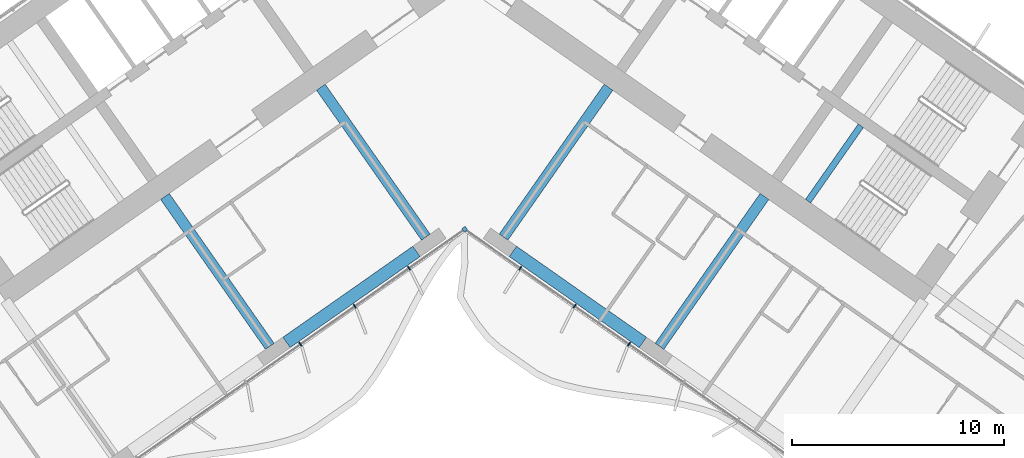
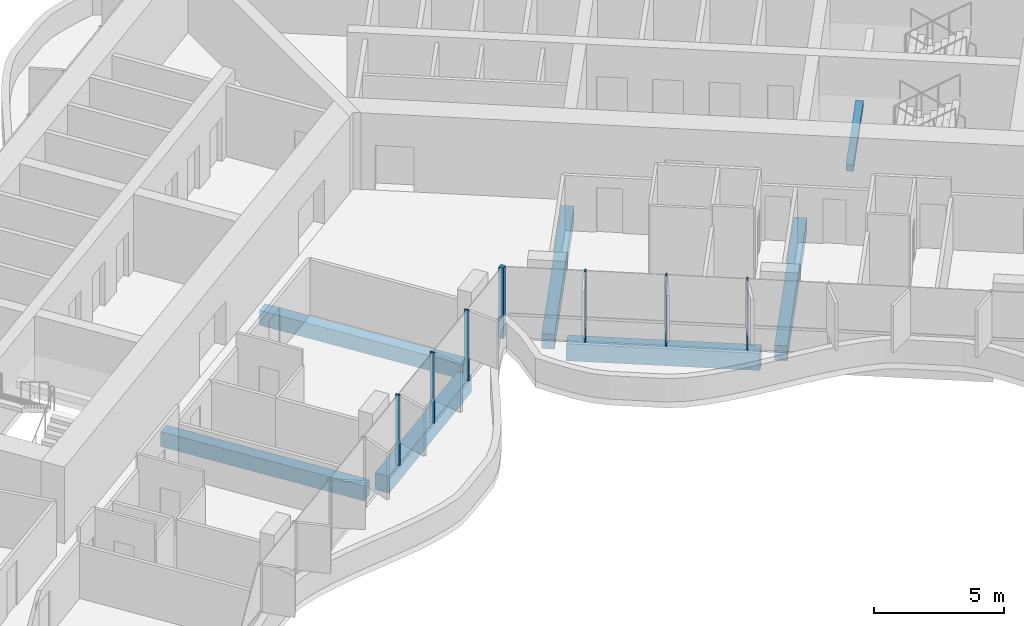
# One storey, part 6 of 24: 7 beams, 7 members, 1 element without a shape of its own.
"""IFC4 building model written with IfcOpenShell, lengths in metres."""

from ifc_helpers import new_model, si_unit, direction, frame, origin, origin_2d, place, context, subcontext, project, spatial, rectangle, extrude, material, material_profile, profile_set, type_object, element, aggregate, save


model = new_model("IFC4")

# Units and contexts
model_context = context("Model", 3, precision=1e-05, world=origin(), true_north=direction((0.0, 1.0)))
body_context = subcontext(model_context, "Body", "Model", "MODEL_VIEW")
ifc_project = project(units=[si_unit("LENGTHUNIT", "METRE"), si_unit("AREAUNIT", "SQUARE_METRE"), si_unit("VOLUMEUNIT", "CUBIC_METRE"), si_unit("PLANEANGLEUNIT", "RADIAN"), si_unit("MASSUNIT", "GRAM", prefix="KILO")], contexts=[model_context])

# Site, building, storey
site_placement = place(None, origin())
site = spatial("IfcSite", under=ifc_project, at=site_placement, CompositionType="ELEMENT")
building_placement = place(site_placement, origin())
building = spatial("IfcBuilding", under=site, at=building_placement, Name="Tel Ilan Convention Tower", CompositionType="ELEMENT")
storey_placement = place(building_placement, frame((0.0, 0.0, 68.89990234375)))
storey = spatial("IfcBuildingStorey", under=building, at=storey_placement, Name="L12", CompositionType="ELEMENT", Elevation=68.89990234375)

# Beams
ifc_material_1 = material(Name="Concrete C40/50", Category="concrete")
ifc_material_profile_1 = material_profile(ifc_material_1, rectangle(XDim=0.5, YDim=0.699951171875, at=origin_2d()), Name="RC 500x700")
ifc_profile_set_1 = profile_set([ifc_material_profile_1], Name="Concrete C40/50")
beam_type_1 = type_object("IfcBeamType", Name="Beam RC 500x700 Concrete C40/50", PredefinedType="BEAM", material=ifc_profile_set_1)
for number, where, z_axis, x_axis, name in (
    (1, (-1.83740234375, -13.06689453125, -0.6298828125), (-0.573574099654, 0.819153680457, 0.0), (-0.819153680457, -0.573574099654, 0.0), "L12 beam W-W-F1-core"),
    (2, (-9.209716796875, -18.229248046875, -0.6298828125), (-0.573574099654, 0.819153680457, 0.0), (-0.819153680457, -0.573574099654, 0.0), "L12 beam W-W-F2-core"),
    (3, (1.83740234375, -13.06689453125, -0.6298828125), (0.573574099654, 0.819153680457, 0.0), (-0.819153680457, 0.573574099654, 0.0), "L12 beam E-E-F1-core"),
    (4, (9.209716796875, -18.229248046875, -0.6298828125), (0.573574099654, 0.819153680457, 0.0), (-0.819153680457, 0.573574099654, 0.0), "L12 beam E-E-F2-core"),
):
    element("IfcBeam", number, at=place(storey_placement, frame(where, z_axis=z_axis, x_axis=x_axis)), inside=storey, type_object=beam_type_1, Name=name, PredefinedType="BEAM", context=body_context, shape_type="SweptSolid", body=[
        extrude(rectangle(XDim=0.5, YDim=0.699951171875, at=origin_2d()), origin(), (0.0, 0.0, 1.0), 8.64990234375),
    ])
ifc_material_2 = material(Name="Concrete C40/50", Category="concrete")
ifc_material_profile_2 = material_profile(ifc_material_2, rectangle(XDim=0.60009765625, YDim=0.800048828125, at=origin_2d()), Name="RC 600x800")
ifc_profile_set_2 = profile_set([ifc_material_profile_2], Name="Concrete C40/50")
beam_type_2 = type_object("IfcBeamType", Name="Beam RC 600x800 Concrete C40/50", PredefinedType="BEAM", material=ifc_profile_set_2)
for number, where, z_axis, x_axis, name in (
    (5, (-2.279541015625, -13.742919921875, -0.679931640625), (-0.819147803225, -0.57358249317, 0.0), (0.57358249317, -0.819147803225, 0.0), "L12 beam W-W-F1-W-F2"),
    (6, (2.279541015625, -13.742919921875, -0.679931640625), (0.819147803225, -0.57358249317, 0.0), (0.57358249317, 0.819147803225, 0.0), "L12 beam E-E-F1-E-F2"),
):
    element("IfcBeam", number, at=place(storey_placement, frame(where, z_axis=z_axis, x_axis=x_axis)), inside=storey, type_object=beam_type_2, Name=name, PredefinedType="BEAM", context=body_context, shape_type="SweptSolid", body=[
        extrude(rectangle(XDim=0.60009765625, YDim=0.800048828125, at=origin_2d()), origin(), (0.0, 0.0, 1.0), 7.500244140625),
    ])

# Curtain wall, members
ifc_material_3 = material(Name="Aluminium, bronze anodised", Category="aluminium")
curtain_wall_type = type_object("IfcCurtainWallType", Name="CW1 UNITISED CURTAIN WALL, HOTEL TINTED GLASS", PredefinedType="NOTDEFINED", material=ifc_material_3)
curtain_wall_placement = place(storey_placement, origin())
curtain_wall = element("IfcCurtainWall", 7, at=curtain_wall_placement, inside=storey, type_object=curtain_wall_type, Name="Curtain wall CW1-12.02", PredefinedType="NOTDEFINED")
ifc_material_4 = material(Name="Aluminium, bronze anodised", Category="aluminium")
ifc_material_profile_3 = material_profile(ifc_material_4, rectangle(XDim=0.199951171875, YDim=0.199951171875, at=origin_2d()), Name="CW CORNER MULLION 200x200")
ifc_profile_set_3 = profile_set([ifc_material_profile_3], Name="Aluminium, bronze anodised")
member_type_1 = type_object("IfcMemberType", Name="CW CORNER MULLION 200x200", PredefinedType="MULLION", material=ifc_profile_set_3)
member_1_placement = place(storey_placement, frame((0.0, -12.696044921875, 0.0), z_axis=(0.0, 0.0, 1.0), x_axis=(0.819152044289, 0.573576436351, 0.0)))
member_1 = element("IfcMember", 8, at=member_1_placement, type_object=member_type_1, Name="Corner mullion", PredefinedType="MULLION", context=body_context, shape_type="SweptSolid", body=[
    extrude(rectangle(XDim=0.199951171875, YDim=0.199951171875, at=origin_2d()), origin(), (0.0, 0.0, 1.0), 3.320068359375),
])
ifc_material_5 = material(Name="Aluminium, bronze anodised", Category="aluminium")
ifc_material_profile_4 = material_profile(ifc_material_5, rectangle(XDim=0.06005859375, YDim=0.199951171875, at=origin_2d()), Name="CW MULLION 60x200")
ifc_profile_set_4 = profile_set([ifc_material_profile_4], Name="Aluminium, bronze anodised")
member_type_2 = type_object("IfcMemberType", Name="CW MULLION 60x200", PredefinedType="MULLION", material=ifc_profile_set_4)
member_2_placement = place(storey_placement, frame((-7.76708984375, -18.134765625, 0.0), z_axis=(0.0, 0.0, 1.0), x_axis=(0.819152044289, 0.573576436351, 0.0)))
member_2 = element("IfcMember", 9, at=member_2_placement, type_object=member_type_2, Name="Mullion", PredefinedType="MULLION", context=body_context, shape_type="SweptSolid", body=[
    extrude(rectangle(XDim=0.06005859375, YDim=0.199951171875, at=origin_2d()), origin(), (0.0, 0.0, 1.0), 3.320068359375),
])
member_3_placement = place(storey_placement, frame((-5.197265625, -16.335205078125, 0.0), z_axis=(0.0, 0.0, 1.0), x_axis=(0.819152044289, 0.573576436351, 0.0)))
member_3 = element("IfcMember", 10, at=member_3_placement, type_object=member_type_2, Name="Mullion", PredefinedType="MULLION", context=body_context, shape_type="SweptSolid", body=[
    extrude(rectangle(XDim=0.06005859375, YDim=0.199951171875, at=origin_2d()), origin(), (0.0, 0.0, 1.0), 3.320068359375),
])
member_4_placement = place(storey_placement, frame((-2.627197265625, -14.53564453125, 0.0), z_axis=(0.0, 0.0, 1.0), x_axis=(0.819152044289, 0.573576436351, 0.0)))
member_4 = element("IfcMember", 11, at=member_4_placement, type_object=member_type_2, Name="Mullion", PredefinedType="MULLION", context=body_context, shape_type="SweptSolid", body=[
    extrude(rectangle(XDim=0.06005859375, YDim=0.199951171875, at=origin_2d()), origin(), (0.0, 0.0, 1.0), 3.320068359375),
])
member_5_placement = place(storey_placement, frame((2.627197265625, -14.53564453125, 0.0), z_axis=(0.0, 0.0, 1.0), x_axis=(0.819152044289, -0.573576436351, 0.0)))
member_5 = element("IfcMember", 12, at=member_5_placement, type_object=member_type_2, Name="Mullion", PredefinedType="MULLION", context=body_context, shape_type="SweptSolid", body=[
    extrude(rectangle(XDim=0.06005859375, YDim=0.199951171875, at=origin_2d()), origin(), (0.0, 0.0, 1.0), 3.320068359375),
])
member_6_placement = place(storey_placement, frame((5.197265625, -16.335205078125, 0.0), z_axis=(0.0, 0.0, 1.0), x_axis=(0.819152044289, -0.573576436351, 0.0)))
member_6 = element("IfcMember", 13, at=member_6_placement, type_object=member_type_2, Name="Mullion", PredefinedType="MULLION", context=body_context, shape_type="SweptSolid", body=[
    extrude(rectangle(XDim=0.06005859375, YDim=0.199951171875, at=origin_2d()), origin(), (0.0, 0.0, 1.0), 3.320068359375),
])
member_7_placement = place(storey_placement, frame((7.76708984375, -18.134765625, 0.0), z_axis=(0.0, 0.0, 1.0), x_axis=(0.819152044289, -0.573576436351, 0.0)))
member_7 = element("IfcMember", 14, at=member_7_placement, type_object=member_type_2, Name="Mullion", PredefinedType="MULLION", context=body_context, shape_type="SweptSolid", body=[
    extrude(rectangle(XDim=0.06005859375, YDim=0.199951171875, at=origin_2d()), origin(), (0.0, 0.0, 1.0), 3.320068359375),
])
aggregate(curtain_wall, [member_2, member_3, member_4, member_1, member_5, member_6, member_7])

# Beam
ifc_material_6 = material(Name="Concrete C40/50", Category="concrete")
ifc_material_profile_5 = material_profile(ifc_material_6, rectangle(XDim=0.300048828125, YDim=0.300048828125, at=origin_2d()), Name="RC 300x300")
ifc_profile_set_5 = profile_set([ifc_material_profile_5], Name="Concrete C40/50")
beam_type_3 = type_object("IfcBeamType", Name="Landing Beam RC 300x300 Concrete C40/50", PredefinedType="BEAM", material=ifc_profile_set_5)
beam_placement = place(storey_placement, frame((18.726806640625, -7.80224609375, 1.4501953125), z_axis=(-0.573594173421, -0.819139624372, 0.0), x_axis=(0.819139624372, -0.573594173421, 0.0)))
element("IfcBeam", 15, at=beam_placement, inside=storey, type_object=beam_type_3, Name="S4 landing beam L12.1", PredefinedType="BEAM", context=body_context, shape_type="SweptSolid", body=[
    extrude(rectangle(XDim=0.300048828125, YDim=0.300048828125, at=origin_2d()), origin(), (0.0, 0.0, 1.0), 4.349853515625),
])

save(model, "model.ifc")
